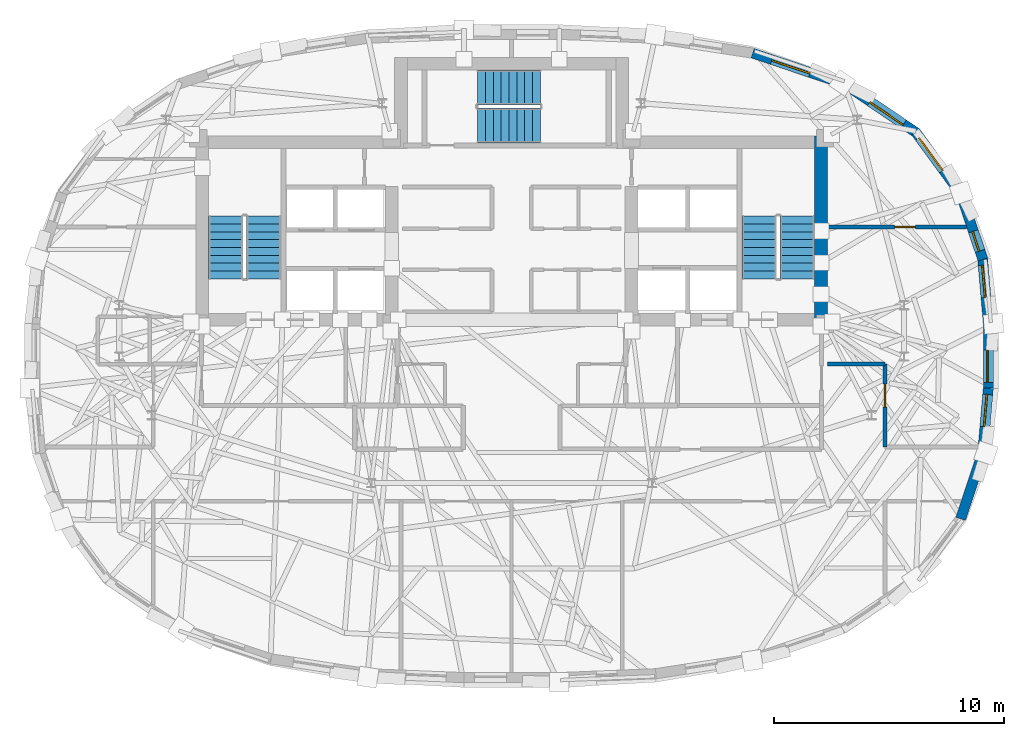
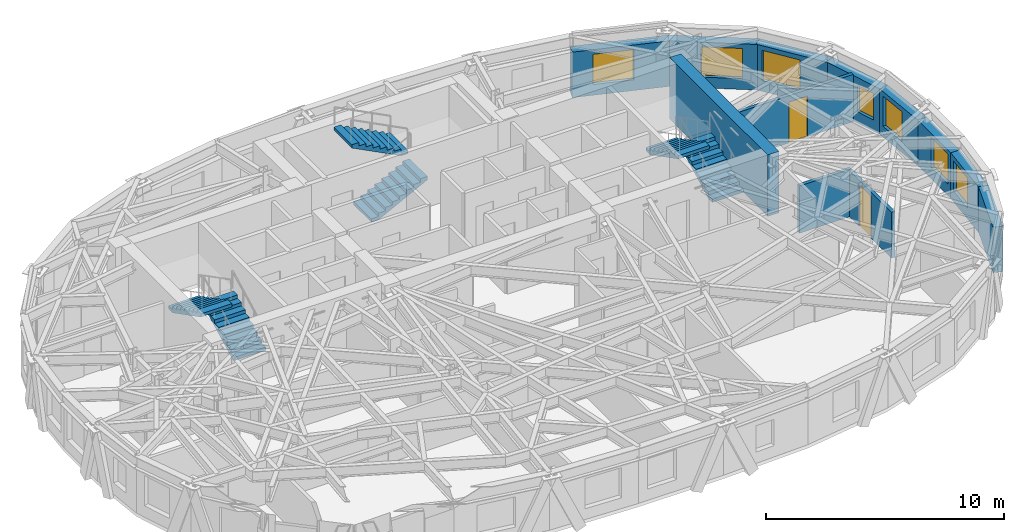
# One storey, part 9 of 12: 12 walls, 7 windows, 6 stair flights, 2 doors, 9 openings, 3 elements without a shape of their own.
"""IFC4 building model written with IfcOpenShell, lengths in metres."""

from ifc_helpers import new_model, si_unit, direction, frame, frame_2d, origin, place, context, subcontext, project, spatial, polyline, rectangle, outline, extrude, material, layer, layer_set, type_object, element, fill, aggregate, save


model = new_model("IFC4")

# Units and contexts
model_context = context("Model", 3, precision=1e-05, world=origin(), true_north=direction((0.0, 1.0)))
body_context = subcontext(model_context, "Body", "Model", "MODEL_VIEW")
ifc_project = project(units=[si_unit("LENGTHUNIT", "METRE"), si_unit("AREAUNIT", "SQUARE_METRE"), si_unit("VOLUMEUNIT", "CUBIC_METRE"), si_unit("PLANEANGLEUNIT", "RADIAN"), si_unit("MASSUNIT", "GRAM", prefix="KILO")], contexts=[model_context])

# Site, building, storey
site_placement = place(None, origin())
site = spatial("IfcSite", under=ifc_project, at=site_placement, CompositionType="ELEMENT")
building_placement = place(site_placement, origin())
building = spatial("IfcBuilding", under=site, at=building_placement, Name="Keldmark Tower", CompositionType="ELEMENT")
storey_placement = place(building_placement, frame((0.0, 0.0, 250.949951171875)))
storey = spatial("IfcBuildingStorey", under=building, at=storey_placement, Name="L71", CompositionType="ELEMENT", Elevation=250.949951171875)

# Wall
ifc_material_1 = material(Name="Concrete C50/60", Category="concrete")
ifc_layer_1 = layer(ifc_material_1, 0.550048828125)
ifc_layer_set_1 = layer_set([ifc_layer_1], Name="Concrete C50/60")
wall_type_1 = type_object("IfcWallType", Name="High-Rise Core Shear Wall 550 mm", PredefinedType="SHEAR", material=ifc_layer_set_1)
wall_1_placement = place(storey_placement, frame((13.425048828125, 1.300048828125, 0.0), z_axis=(0.0, 0.0, 1.0), x_axis=(0.0, 1.0, 0.0)))
element("IfcWall", 1, at=wall_1_placement, inside=storey, type_object=wall_type_1, Name="L71 East Core Outer Shear Wall", PredefinedType="SHEAR", context=body_context, shape_type="SweptSolid", body=[
    extrude(rectangle(XDim=8.25, YDim=0.550048828125, at=frame_2d((4.125, 0.0))), origin(), (0.0, 0.0, 1.0), 3.150146484375),
])

# Wall, opening, door
ifc_material_2 = material(Name="Type X Fire-Rated Gypsum Partition Assembly", Category="gypsum")
ifc_layer_2 = layer(ifc_material_2, 0.1650390625)
ifc_layer_set_2 = layer_set([ifc_layer_2], Name="Type X Fire-Rated Gypsum Partition Assembly")
wall_type_2 = type_object("IfcWallType", Name="Rated Partition 165 mm", PredefinedType="PARTITIONING", material=ifc_layer_set_2)
wall_2_placement = place(storey_placement, frame((16.199951171875, -3.949951171875, 0.0), z_axis=(0.0, 0.0, 1.0), x_axis=(0.0, 1.0, 0.0)))
wall_2 = element("IfcWall", 2, at=wall_2_placement, inside=storey, type_object=wall_type_2, Name="L71 Rated Partition 165 mm RCOR-VE", PredefinedType="PARTITIONING", context=body_context, shape_type="SweptSolid", body=[
    extrude(rectangle(XDim=3.599853515625, YDim=0.1650390625, at=frame_2d((1.7998046875, 0.0))), origin(), (0.0, 0.0, 1.0), 2.35693359375),
])
opening_1_placement = place(wall_2_placement, frame((1.72998046875, 0.0, 0.0)))
opening_1 = element("IfcOpeningElement", 3, at=opening_1_placement, cuts=wall_2, Name="Opening D-FD100", PredefinedType="OPENING", context=body_context, shape_type="SweptSolid", body=[
    extrude(rectangle(XDim=1.0, YDim=2.14990234375, at=frame_2d((0.5, 1.074951171875))), frame((0.0, 0.092529296875, 0.0), z_axis=(0.0, -1.0, 0.0), x_axis=(1.0, 0.0, 0.0)), (0.0, 0.0, 1.0), 0.18505859375),
])
ifc_material_3 = material(Name="Hollow Metal Fire-Rated Corridor Door", Category="metal")
door_type_1 = type_object("IfcDoorType", Name="Fire Door 1000x2150", OperationType="NOTDEFINED", PredefinedType="DOOR", material=ifc_material_3)
door_1_placement = place(opening_1_placement, origin())
door_1 = element("IfcDoor", 4, at=door_1_placement, inside=storey, type_object=door_type_1, Name="L71 Fire Door 1000x2150 D-REM1-L71", OperationType="SINGLE_SWING_RIGHT", OverallHeight=2.14990234375, OverallWidth=1.0, PredefinedType="DOOR", context=body_context, shape_type="SweptSolid", body=[
    extrude(rectangle(XDim=1.0, YDim=2.14990234375, at=frame_2d((0.5, 1.074951171875))), frame((0.0, 0.02490234375, 0.0), z_axis=(0.0, -1.0, 0.0), x_axis=(1.0, 0.0, 0.0)), (0.0, 0.0, 1.0), 0.050048828125),
])
fill(opening_1, door_1)

# Wall
wall_3_placement = place(storey_placement, frame((13.699951171875, -0.35009765625, 0.0), z_axis=(0.0, 0.0, 1.0), x_axis=(1.0, 0.0, 0.0)))
element("IfcWall", 5, at=wall_3_placement, inside=storey, type_object=wall_type_2, Name="L71 Rated Partition 165 mm RCOR-VEN", PredefinedType="PARTITIONING", context=body_context, shape_type="SweptSolid", body=[
    extrude(rectangle(XDim=2.5, YDim=0.1650390625, at=frame_2d((1.25, 0.0))), origin(), (0.0, 0.0, 1.0), 2.423095703125),
])

# Wall, opening, door
wall_4_placement = place(storey_placement, frame((13.699951171875, 5.60009765625, 0.0), z_axis=(0.0, 0.0, 1.0), x_axis=(1.0, 0.0, 0.0)))
wall_4 = element("IfcWall", 6, at=wall_4_placement, inside=storey, type_object=wall_type_2, Name="L71 Rated Partition 165 mm RE-NDIV", PredefinedType="PARTITIONING", context=body_context, shape_type="SweptSolid", body=[
    extrude(rectangle(XDim=6.03564453125, YDim=0.1650390625, at=frame_2d((3.017822265625, 0.0))), origin(), (0.0, 0.0, 1.0), 2.423095703125),
])
opening_2_placement = place(wall_4_placement, frame((2.916015625, 0.0, 0.0)))
opening_2 = element("IfcOpeningElement", 7, at=opening_2_placement, cuts=wall_4, Name="Opening D-IN090", PredefinedType="OPENING", context=body_context, shape_type="SweptSolid", body=[
    extrude(rectangle(XDim=0.89990234375, YDim=2.10009765625, at=frame_2d((0.449951171875, 1.050048828125))), frame((0.0, 0.092529296875, 0.0), z_axis=(0.0, -1.0, 0.0), x_axis=(1.0, 0.0, 0.0)), (0.0, 0.0, 1.0), 0.18505859375),
])
ifc_material_4 = material(Name="Stained American White Oak Veneer", Category="wood")
door_type_2 = type_object("IfcDoorType", Name="Interior Door 900x2100", OperationType="NOTDEFINED", PredefinedType="DOOR", material=ifc_material_4)
door_2_placement = place(opening_2_placement, origin())
door_2 = element("IfcDoor", 8, at=door_2_placement, inside=storey, type_object=door_type_2, Name="L71 Interior Door 900x2100 D-REN1-L71", OperationType="SINGLE_SWING_LEFT", OverallHeight=2.10009765625, OverallWidth=0.89990234375, PredefinedType="DOOR", context=body_context, shape_type="SweptSolid", body=[
    extrude(rectangle(XDim=0.89990234375, YDim=2.10009765625, at=frame_2d((0.449951171875, 1.050048828125))), frame((0.0, 0.02490234375, 0.0), z_axis=(0.0, -1.0, 0.0), x_axis=(1.0, 0.0, 0.0)), (0.0, 0.0, 1.0), 0.050048828125),
])
fill(opening_2, door_2)

# Wall, opening, window
ifc_material_5 = material(Name="Ironspot Manganese Brick and Kasota Buff Limestone Spandrel Assembly", Category="masonry")
ifc_layer_3 = layer(ifc_material_5, 0.43994140625)
ifc_layer_set_3 = layer_set([ifc_layer_3], Name="Ironspot Manganese Brick and Kasota Buff Limestone Spandrel Assembly")
wall_type_3 = type_object("IfcWallType", Name="Tower Brick Pier and Spandrel Wall 440 mm", PredefinedType="STANDARD", material=ifc_layer_set_3)
wall_5_placement = place(storey_placement, frame((20.44140625, 4.230224609375, 0.0), z_axis=(0.0, 0.0, 1.0), x_axis=(0.086868726907, -0.996219767062, 0.0)))
wall_5 = element("IfcWall", 9, at=wall_5_placement, inside=storey, type_object=wall_type_3, Name="L71 Exterior Brick and Spandrel Wall 01", PredefinedType="STANDARD", context=body_context, shape_type="SweptSolid", body=[
    extrude(rectangle(XDim=2.86376953125, YDim=0.43994140625, at=frame_2d((1.431884765625, 0.0))), origin(), (0.0, 0.0, 1.0), 2.3359375),
])
opening_3_placement = place(wall_5_placement, frame((0.296630859375, 0.0, 0.550048828125)))
opening_3 = element("IfcOpeningElement", 10, at=opening_3_placement, cuts=wall_5, Name="Opening W-08", PredefinedType="OPENING", context=body_context, shape_type="SweptSolid", body=[
    extrude(rectangle(XDim=1.39990234375, YDim=1.550048828125, at=frame_2d((0.699951171875, 0.77490234375))), frame((0.0, 0.22998046875, 0.0), z_axis=(0.0, -1.0, 0.0), x_axis=(1.0, 0.0, 0.0)), (0.0, 0.0, 1.0), 0.4599609375),
])
ifc_material_6 = material(Name="Thermally Broken Anodized Aluminum and Triple Low-E Argon Glazing", Category="aluminium")
window_type_1 = type_object("IfcWindowType", Name="Residential Corner Punched Window 1400x1550", PartitioningType="SINGLE_PANEL", PredefinedType="WINDOW", material=ifc_material_6)
window_1_placement = place(opening_3_placement, origin())
window_1 = element("IfcWindow", 11, at=window_1_placement, inside=storey, type_object=window_type_1, Name="L71 Deep-Set Window 01", OverallHeight=1.550048828125, OverallWidth=1.39990234375, PartitioningType="SINGLE_PANEL", PredefinedType="WINDOW", context=body_context, shape_type="SweptSolid", body=[
    extrude(rectangle(XDim=1.39990234375, YDim=1.550048828125, at=frame_2d((0.699951171875, 0.77490234375))), frame((0.0, -0.010009765625, 0.0), z_axis=(0.0, -1.0, 0.0), x_axis=(1.0, 0.0, 0.0)), (0.0, 0.0, 1.0), 0.06005859375),
])
fill(opening_3, window_1)

wall_6_placement = place(storey_placement, frame((19.484619140625, 7.067138671875, 0.0), z_axis=(0.0, 0.0, 1.0), x_axis=(0.317622332961, -0.948217302945, 0.0)))
wall_6 = element("IfcWall", 12, at=wall_6_placement, inside=storey, type_object=wall_type_3, Name="L71 Exterior Brick and Spandrel Wall 02", PredefinedType="STANDARD", context=body_context, shape_type="SweptSolid", body=[
    extrude(rectangle(XDim=3.04541015625, YDim=0.43994140625, at=frame_2d((1.522705078125, 0.0))), origin(), (0.0, 0.0, 1.0), 2.3359375),
])
opening_4_placement = place(wall_6_placement, frame((1.745849609375, 0.0, 0.580078125)))
opening_4 = element("IfcOpeningElement", 13, at=opening_4_placement, cuts=wall_6, Name="Opening W-09", PredefinedType="OPENING", context=body_context, shape_type="SweptSolid", body=[
    extrude(rectangle(XDim=0.89990234375, YDim=1.35009765625, at=frame_2d((0.449951171875, 0.675048828125))), frame((0.0, 0.22998046875, 0.0), z_axis=(0.0, -1.0, 0.0), x_axis=(1.0, 0.0, 0.0)), (0.0, 0.0, 1.0), 0.4599609375),
])
ifc_material_7 = material(Name="Thermally Broken Anodized Aluminum and Triple Low-E Argon Glazing", Category="aluminium")
window_type_2 = type_object("IfcWindowType", Name="Corner Pier Deep-Set Window 900x1350", PartitioningType="SINGLE_PANEL", PredefinedType="WINDOW", material=ifc_material_7)
window_2_placement = place(opening_4_placement, origin())
window_2 = element("IfcWindow", 14, at=window_2_placement, inside=storey, type_object=window_type_2, Name="L71 Deep-Set Window 02", OverallHeight=1.35009765625, OverallWidth=0.89990234375, PartitioningType="SINGLE_PANEL", PredefinedType="WINDOW", context=body_context, shape_type="SweptSolid", body=[
    extrude(rectangle(XDim=0.89990234375, YDim=1.35009765625, at=frame_2d((0.449951171875, 0.675048828125))), frame((0.0, -0.010009765625, 0.0), z_axis=(0.0, -1.0, 0.0), x_axis=(1.0, 0.0, 0.0)), (0.0, 0.0, 1.0), 0.06005859375),
])
fill(opening_4, window_2)

wall_7_placement = place(storey_placement, frame((17.531494140625, 9.724365234375, 0.0), z_axis=(0.0, 0.0, 1.0), x_axis=(0.589698134284, -0.807623743102, 0.0)))
wall_7 = element("IfcWall", 15, at=wall_7_placement, inside=storey, type_object=wall_type_3, Name="L71 Exterior Brick and Spandrel Wall 03", PredefinedType="STANDARD", context=body_context, shape_type="SweptSolid", body=[
    extrude(rectangle(XDim=3.3642578125, YDim=0.43994140625, at=frame_2d((1.68212890625, 0.0))), origin(), (0.0, 0.0, 1.0), 2.3359375),
])
opening_5_placement = place(wall_7_placement, frame((0.297119140625, 0.0, 0.550048828125)))
opening_5 = element("IfcOpeningElement", 16, at=opening_5_placement, cuts=wall_7, Name="Opening W-05", PredefinedType="OPENING", context=body_context, shape_type="SweptSolid", body=[
    extrude(rectangle(XDim=1.75, YDim=1.550048828125, at=frame_2d((0.875, 0.77490234375))), frame((0.0, 0.22998046875, 0.0), z_axis=(0.0, -1.0, 0.0), x_axis=(1.0, 0.0, 0.0)), (0.0, 0.0, 1.0), 0.4599609375),
])
ifc_material_8 = material(Name="Thermally Broken Anodized Aluminum and Triple Low-E Argon Glazing", Category="aluminium")
window_type_3 = type_object("IfcWindowType", Name="Residential Deep-Set Window 1750x1550", PartitioningType="DOUBLE_PANEL_VERTICAL", PredefinedType="WINDOW", material=ifc_material_8)
window_3_placement = place(opening_5_placement, origin())
window_3 = element("IfcWindow", 17, at=window_3_placement, inside=storey, type_object=window_type_3, Name="L71 Deep-Set Window 03", OverallHeight=1.550048828125, OverallWidth=1.75, PartitioningType="SINGLE_PANEL", PredefinedType="WINDOW", context=body_context, shape_type="SweptSolid", body=[
    extrude(rectangle(XDim=1.75, YDim=1.550048828125, at=frame_2d((0.875, 0.77490234375))), frame((0.0, -0.010009765625, 0.0), z_axis=(0.0, -1.0, 0.0), x_axis=(1.0, 0.0, 0.0)), (0.0, 0.0, 1.0), 0.06005859375),
])
fill(opening_5, window_3)

wall_8_placement = place(storey_placement, frame((14.409912109375, 11.824951171875, 0.0), z_axis=(0.0, 0.0, 1.0), x_axis=(0.827707997274, -0.56115904274, 0.0)))
wall_8 = element("IfcWall", 18, at=wall_8_placement, inside=storey, type_object=wall_type_3, Name="L71 Exterior Brick and Spandrel Wall 04", PredefinedType="STANDARD", context=body_context, shape_type="SweptSolid", body=[
    extrude(rectangle(XDim=3.8369140625, YDim=0.43994140625, at=frame_2d((1.91845703125, 0.0))), origin(), (0.0, 0.0, 1.0), 2.3359375),
])
opening_6_placement = place(wall_8_placement, frame((1.390625, 0.0, 0.550048828125)))
opening_6 = element("IfcOpeningElement", 19, at=opening_6_placement, cuts=wall_8, Name="Opening W-05", PredefinedType="OPENING", context=body_context, shape_type="SweptSolid", body=[
    extrude(rectangle(XDim=1.75, YDim=1.550048828125, at=frame_2d((0.875, 0.77490234375))), frame((0.0, 0.22998046875, 0.0), z_axis=(0.0, -1.0, 0.0), x_axis=(1.0, 0.0, 0.0)), (0.0, 0.0, 1.0), 0.4599609375),
])
window_4_placement = place(opening_6_placement, origin())
window_4 = element("IfcWindow", 20, at=window_4_placement, inside=storey, type_object=window_type_3, Name="L71 Deep-Set Window 04", OverallHeight=1.550048828125, OverallWidth=1.75, PartitioningType="SINGLE_PANEL", PredefinedType="WINDOW", context=body_context, shape_type="SweptSolid", body=[
    extrude(rectangle(XDim=1.75, YDim=1.550048828125, at=frame_2d((0.875, 0.77490234375))), frame((0.0, -0.010009765625, 0.0), z_axis=(0.0, -1.0, 0.0), x_axis=(1.0, 0.0, 0.0)), (0.0, 0.0, 1.0), 0.06005859375),
])
fill(opening_6, window_4)

wall_9_placement = place(storey_placement, frame((10.456298828125, 13.143798828125, 0.0), z_axis=(0.0, 0.0, 1.0), x_axis=(0.948005346594, -0.318254399545, 0.0)))
wall_9 = element("IfcWall", 21, at=wall_9_placement, inside=storey, type_object=wall_type_3, Name="L71 Exterior Brick and Spandrel Wall 05", PredefinedType="STANDARD", context=body_context, shape_type="SweptSolid", body=[
    extrude(rectangle(XDim=4.226806640625, YDim=0.43994140625, at=frame_2d((2.11328125, 0.0))), origin(), (0.0, 0.0, 1.0), 2.3359375),
])
opening_7_placement = place(wall_9_placement, frame((0.892333984375, 0.0, 0.550048828125)))
opening_7 = element("IfcOpeningElement", 22, at=opening_7_placement, cuts=wall_9, Name="Opening W-05", PredefinedType="OPENING", context=body_context, shape_type="SweptSolid", body=[
    extrude(rectangle(XDim=1.75, YDim=1.550048828125, at=frame_2d((0.875, 0.77490234375))), frame((0.0, 0.22998046875, 0.0), z_axis=(0.0, -1.0, 0.0), x_axis=(1.0, 0.0, 0.0)), (0.0, 0.0, 1.0), 0.4599609375),
])
window_5_placement = place(opening_7_placement, origin())
window_5 = element("IfcWindow", 23, at=window_5_placement, inside=storey, type_object=window_type_3, Name="L71 Deep-Set Window 05", OverallHeight=1.550048828125, OverallWidth=1.75, PartitioningType="SINGLE_PANEL", PredefinedType="WINDOW", context=body_context, shape_type="SweptSolid", body=[
    extrude(rectangle(XDim=1.75, YDim=1.550048828125, at=frame_2d((0.875, 0.77490234375))), frame((0.0, -0.010009765625, 0.0), z_axis=(0.0, -1.0, 0.0), x_axis=(1.0, 0.0, 0.0)), (0.0, 0.0, 1.0), 0.06005859375),
])
fill(opening_7, window_5)

# Wall
wall_10_placement = place(storey_placement, frame((20.451904296875, -4.179443359375, 0.0), z_axis=(0.0, 0.0, 1.0), x_axis=(-0.317622332961, -0.948217302945, 0.0)))
element("IfcWall", 24, at=wall_10_placement, inside=storey, type_object=wall_type_3, Name="L71 Exterior Brick and Spandrel Wall 30", PredefinedType="STANDARD", context=body_context, shape_type="SweptSolid", body=[
    extrude(rectangle(XDim=3.04541015625, YDim=0.43994140625, at=frame_2d((1.522705078125, 0.0))), origin(), (0.0, 0.0, 1.0), 2.3359375),
])

# Wall, opening, window
wall_11_placement = place(storey_placement, frame((20.690185546875, -1.377197265625, 0.0), z_axis=(0.0, 0.0, 1.0), x_axis=(-0.086868726907, -0.996219767062, 0.0)))
wall_11 = element("IfcWall", 25, at=wall_11_placement, inside=storey, type_object=wall_type_3, Name="L71 Exterior Brick and Spandrel Wall 31", PredefinedType="STANDARD", context=body_context, shape_type="SweptSolid", body=[
    extrude(rectangle(XDim=2.86376953125, YDim=0.43994140625, at=frame_2d((1.431884765625, 0.0))), origin(), (0.0, 0.0, 1.0), 2.3359375),
])
opening_8_placement = place(wall_11_placement, frame((0.296630859375, 0.0, 0.550048828125)))
opening_8 = element("IfcOpeningElement", 26, at=opening_8_placement, cuts=wall_11, Name="Opening W-08", PredefinedType="OPENING", context=body_context, shape_type="SweptSolid", body=[
    extrude(rectangle(XDim=1.39990234375, YDim=1.550048828125, at=frame_2d((0.699951171875, 0.77490234375))), frame((0.0, 0.22998046875, 0.0), z_axis=(0.0, -1.0, 0.0), x_axis=(1.0, 0.0, 0.0)), (0.0, 0.0, 1.0), 0.4599609375),
])
window_6_placement = place(opening_8_placement, origin())
window_6 = element("IfcWindow", 27, at=window_6_placement, inside=storey, type_object=window_type_1, Name="L71 Deep-Set Window 31", OverallHeight=1.550048828125, OverallWidth=1.39990234375, PartitioningType="SINGLE_PANEL", PredefinedType="WINDOW", context=body_context, shape_type="SweptSolid", body=[
    extrude(rectangle(XDim=1.39990234375, YDim=1.550048828125, at=frame_2d((0.699951171875, 0.77490234375))), frame((0.0, -0.010009765625, 0.0), z_axis=(0.0, -1.0, 0.0), x_axis=(1.0, 0.0, 0.0)), (0.0, 0.0, 1.0), 0.06005859375),
])
fill(opening_8, window_6)

wall_12_placement = place(storey_placement, frame((20.689453125, 1.396240234375, 0.0), z_axis=(0.0, 0.0, 1.0), x_axis=(0.0, -1.0, 0.0)))
wall_12 = element("IfcWall", 28, at=wall_12_placement, inside=storey, type_object=wall_type_3, Name="L71 Exterior Brick and Spandrel Wall 32", PredefinedType="STANDARD", context=body_context, shape_type="SweptSolid", body=[
    extrude(rectangle(XDim=2.79248046875, YDim=0.43994140625, at=frame_2d((1.396240234375, 0.0))), origin(), (0.0, 0.0, 1.0), 2.3359375),
])
opening_9_placement = place(wall_12_placement, frame((1.14306640625, 0.0, 0.580078125)))
opening_9 = element("IfcOpeningElement", 29, at=opening_9_placement, cuts=wall_12, Name="Opening W-08", PredefinedType="OPENING", context=body_context, shape_type="SweptSolid", body=[
    extrude(rectangle(XDim=1.39990234375, YDim=1.550048828125, at=frame_2d((0.699951171875, 0.77490234375))), frame((0.0, 0.22998046875, 0.0), z_axis=(0.0, -1.0, 0.0), x_axis=(1.0, 0.0, 0.0)), (0.0, 0.0, 1.0), 0.4599609375),
])
window_7_placement = place(opening_9_placement, origin())
window_7 = element("IfcWindow", 30, at=window_7_placement, inside=storey, type_object=window_type_1, Name="L71 Deep-Set Window 32", OverallHeight=1.550048828125, OverallWidth=1.39990234375, PartitioningType="SINGLE_PANEL", PredefinedType="WINDOW", context=body_context, shape_type="SweptSolid", body=[
    extrude(rectangle(XDim=1.39990234375, YDim=1.550048828125, at=frame_2d((0.699951171875, 0.77490234375))), frame((0.0, -0.010009765625, 0.0), z_axis=(0.0, -1.0, 0.0), x_axis=(1.0, 0.0, 0.0)), (0.0, 0.0, 1.0), 0.06005859375),
])
fill(opening_9, window_7)

# Stair, stair flights
ifc_material_9 = material(Name="Concrete C40/50", Category="concrete")
stair_type = type_object("IfcStairType", Name="Precast Concrete Core Exit Stair", PredefinedType="HALF_TURN_STAIR", material=ifc_material_9)
stair_1_placement = place(storey_placement, origin())
stair_1 = element("IfcStair", 31, at=stair_1_placement, inside=storey, type_object=stair_type, Name="L71 Exit Stair ST1", PredefinedType="HALF_TURN_STAIR")
ifc_material_10 = material(Name="Concrete C40/50", Category="concrete")
stair_flight_type = type_object("IfcStairFlightType", Name="Precast Concrete Stair Flight 1500 mm", PredefinedType="STRAIGHT", material=ifc_material_10)
stair_flight_1_placement = place(storey_placement, frame((-10.75, 3.35009765625, 0.0), z_axis=(0.0, 0.0, 1.0), x_axis=(0.0, 1.0, 0.0)))
stair_flight_1 = element("IfcStairFlight", 32, at=stair_flight_1_placement, type_object=stair_flight_type, Name="ST1 flight 1", NumberOfRisers=9, NumberOfTreads=8, PredefinedType="STRAIGHT", RiserHeight=0.175, TreadLength=0.34, context=body_context, shape_type="SweptSolid", body=[
    extrude(outline(polyline([(0.0, 0.0), (0.0, 0.175048828125), (0.340087890625, 0.175048828125), (0.340087890625, 0.35009765625), (0.679931640625, 0.35009765625), (0.679931640625, 0.52490234375), (1.02001953125, 0.52490234375), (1.02001953125, 0.699951171875), (1.360107421875, 0.699951171875), (1.360107421875, 0.875), (1.699951171875, 0.875), (1.699951171875, 1.050048828125), (2.0400390625, 1.050048828125), (2.0400390625, 1.22509765625), (2.3798828125, 1.22509765625), (2.3798828125, 1.39990234375), (2.719970703125, 1.39990234375), (2.719970703125, 1.574951171875), (2.719970703125, 1.2314453125), (0.32763671875, 0.0), (0.0, 0.0)])), frame((0.0, 0.75, 0.0), z_axis=(0.0, -1.0, 0.0), x_axis=(1.0, 0.0, 0.0)), (0.0, 0.0, 1.0), 1.5),
])
stair_flight_2_placement = place(storey_placement, frame((-12.39990234375, 6.070068359375, 1.574951171875), z_axis=(0.0, 0.0, 1.0), x_axis=(0.0, -1.0, 0.0)))
stair_flight_2 = element("IfcStairFlight", 33, at=stair_flight_2_placement, type_object=stair_flight_type, Name="ST1 flight 2", NumberOfRisers=9, NumberOfTreads=8, PredefinedType="STRAIGHT", RiserHeight=0.175, TreadLength=0.34, context=body_context, shape_type="SweptSolid", body=[
    extrude(outline(polyline([(0.0, 0.0), (0.0, 0.175048828125), (0.340087890625, 0.175048828125), (0.340087890625, 0.35009765625), (0.679931640625, 0.35009765625), (0.679931640625, 0.52490234375), (1.02001953125, 0.52490234375), (1.02001953125, 0.699951171875), (1.360107421875, 0.699951171875), (1.360107421875, 0.875), (1.699951171875, 0.875), (1.699951171875, 1.050048828125), (2.0400390625, 1.050048828125), (2.0400390625, 1.22509765625), (2.3798828125, 1.22509765625), (2.3798828125, 1.39990234375), (2.719970703125, 1.39990234375), (2.719970703125, 1.574951171875), (2.719970703125, 1.2314453125), (0.32763671875, 0.0), (0.0, 0.0)])), frame((0.0, 0.75, 0.0), z_axis=(0.0, -1.0, 0.0), x_axis=(1.0, 0.0, 0.0)), (0.0, 0.0, 1.0), 1.5),
])
aggregate(stair_1, [stair_flight_1, stair_flight_2])

stair_2_placement = place(storey_placement, origin())
stair_2 = element("IfcStair", 34, at=stair_2_placement, inside=storey, type_object=stair_type, Name="L71 Exit Stair ST2", PredefinedType="HALF_TURN_STAIR")
stair_flight_3_placement = place(storey_placement, frame((12.39990234375, 3.35009765625, 0.0), z_axis=(0.0, 0.0, 1.0), x_axis=(0.0, 1.0, 0.0)))
stair_flight_3 = element("IfcStairFlight", 35, at=stair_flight_3_placement, type_object=stair_flight_type, Name="ST2 flight 1", NumberOfRisers=9, NumberOfTreads=8, PredefinedType="STRAIGHT", RiserHeight=0.175, TreadLength=0.34, context=body_context, shape_type="SweptSolid", body=[
    extrude(outline(polyline([(0.0, 0.0), (0.0, 0.175048828125), (0.340087890625, 0.175048828125), (0.340087890625, 0.35009765625), (0.679931640625, 0.35009765625), (0.679931640625, 0.52490234375), (1.02001953125, 0.52490234375), (1.02001953125, 0.699951171875), (1.360107421875, 0.699951171875), (1.360107421875, 0.875), (1.699951171875, 0.875), (1.699951171875, 1.050048828125), (2.0400390625, 1.050048828125), (2.0400390625, 1.22509765625), (2.3798828125, 1.22509765625), (2.3798828125, 1.39990234375), (2.719970703125, 1.39990234375), (2.719970703125, 1.574951171875), (2.719970703125, 1.2314453125), (0.32763671875, 0.0), (0.0, 0.0)])), frame((0.0, 0.75, 0.0), z_axis=(0.0, -1.0, 0.0), x_axis=(1.0, 0.0, 0.0)), (0.0, 0.0, 1.0), 1.5),
])
stair_flight_4_placement = place(storey_placement, frame((10.75, 6.070068359375, 1.574951171875), z_axis=(0.0, 0.0, 1.0), x_axis=(0.0, -1.0, 0.0)))
stair_flight_4 = element("IfcStairFlight", 36, at=stair_flight_4_placement, type_object=stair_flight_type, Name="ST2 flight 2", NumberOfRisers=9, NumberOfTreads=8, PredefinedType="STRAIGHT", RiserHeight=0.175, TreadLength=0.34, context=body_context, shape_type="SweptSolid", body=[
    extrude(outline(polyline([(0.0, 0.0), (0.0, 0.175048828125), (0.340087890625, 0.175048828125), (0.340087890625, 0.35009765625), (0.679931640625, 0.35009765625), (0.679931640625, 0.52490234375), (1.02001953125, 0.52490234375), (1.02001953125, 0.699951171875), (1.360107421875, 0.699951171875), (1.360107421875, 0.875), (1.699951171875, 0.875), (1.699951171875, 1.050048828125), (2.0400390625, 1.050048828125), (2.0400390625, 1.22509765625), (2.3798828125, 1.22509765625), (2.3798828125, 1.39990234375), (2.719970703125, 1.39990234375), (2.719970703125, 1.574951171875), (2.719970703125, 1.2314453125), (0.32763671875, 0.0), (0.0, 0.0)])), frame((0.0, 0.75, 0.0), z_axis=(0.0, -1.0, 0.0), x_axis=(1.0, 0.0, 0.0)), (0.0, 0.0, 1.0), 1.5),
])
aggregate(stair_2, [stair_flight_3, stair_flight_4])

stair_3_placement = place(storey_placement, origin())
stair_3 = element("IfcStair", 37, at=stair_3_placement, inside=storey, type_object=stair_type, Name="L71 Exit Stair ST3", PredefinedType="HALF_TURN_STAIR")
stair_flight_5_placement = place(storey_placement, frame((-1.47509765625, 10.0, 0.0), z_axis=(0.0, 0.0, 1.0), x_axis=(1.0, 0.0, 0.0)))
stair_flight_5 = element("IfcStairFlight", 38, at=stair_flight_5_placement, type_object=stair_flight_type, Name="ST3 flight 1", NumberOfRisers=9, NumberOfTreads=8, PredefinedType="STRAIGHT", RiserHeight=0.175, TreadLength=0.34, context=body_context, shape_type="SweptSolid", body=[
    extrude(outline(polyline([(0.0, 0.0), (0.0, 0.175048828125), (0.340087890625, 0.175048828125), (0.340087890625, 0.35009765625), (0.679931640625, 0.35009765625), (0.679931640625, 0.52490234375), (1.02001953125, 0.52490234375), (1.02001953125, 0.699951171875), (1.360107421875, 0.699951171875), (1.360107421875, 0.875), (1.699951171875, 0.875), (1.699951171875, 1.050048828125), (2.0400390625, 1.050048828125), (2.0400390625, 1.22509765625), (2.3798828125, 1.22509765625), (2.3798828125, 1.39990234375), (2.719970703125, 1.39990234375), (2.719970703125, 1.574951171875), (2.719970703125, 1.2314453125), (0.32763671875, 0.0), (0.0, 0.0)])), frame((0.0, 0.75, 0.0), z_axis=(0.0, -1.0, 0.0), x_axis=(1.0, 0.0, 0.0)), (0.0, 0.0, 1.0), 1.5),
])
stair_flight_6_placement = place(storey_placement, frame((1.2451171875, 11.64990234375, 1.574951171875), z_axis=(0.0, 0.0, 1.0), x_axis=(-1.0, 0.0, 0.0)))
stair_flight_6 = element("IfcStairFlight", 39, at=stair_flight_6_placement, type_object=stair_flight_type, Name="ST3 flight 2", NumberOfRisers=9, NumberOfTreads=8, PredefinedType="STRAIGHT", RiserHeight=0.175, TreadLength=0.34, context=body_context, shape_type="SweptSolid", body=[
    extrude(outline(polyline([(0.0, 0.0), (0.0, 0.175048828125), (0.340087890625, 0.175048828125), (0.340087890625, 0.35009765625), (0.679931640625, 0.35009765625), (0.679931640625, 0.52490234375), (1.02001953125, 0.52490234375), (1.02001953125, 0.699951171875), (1.360107421875, 0.699951171875), (1.360107421875, 0.875), (1.699951171875, 0.875), (1.699951171875, 1.050048828125), (2.0400390625, 1.050048828125), (2.0400390625, 1.22509765625), (2.3798828125, 1.22509765625), (2.3798828125, 1.39990234375), (2.719970703125, 1.39990234375), (2.719970703125, 1.574951171875), (2.719970703125, 1.2314453125), (0.32763671875, 0.0), (0.0, 0.0)])), frame((0.0, 0.75, 0.0), z_axis=(0.0, -1.0, 0.0), x_axis=(1.0, 0.0, 0.0)), (0.0, 0.0, 1.0), 1.5),
])
aggregate(stair_3, [stair_flight_5, stair_flight_6])

save(model, "model.ifc")
